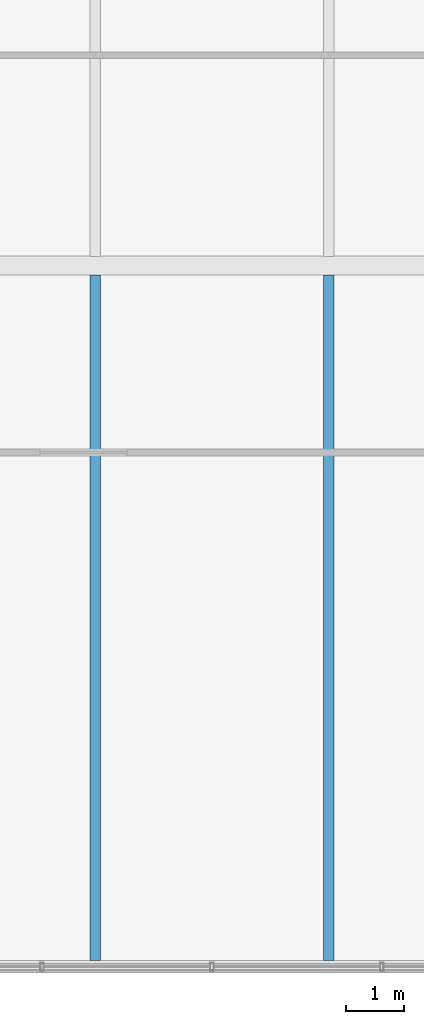
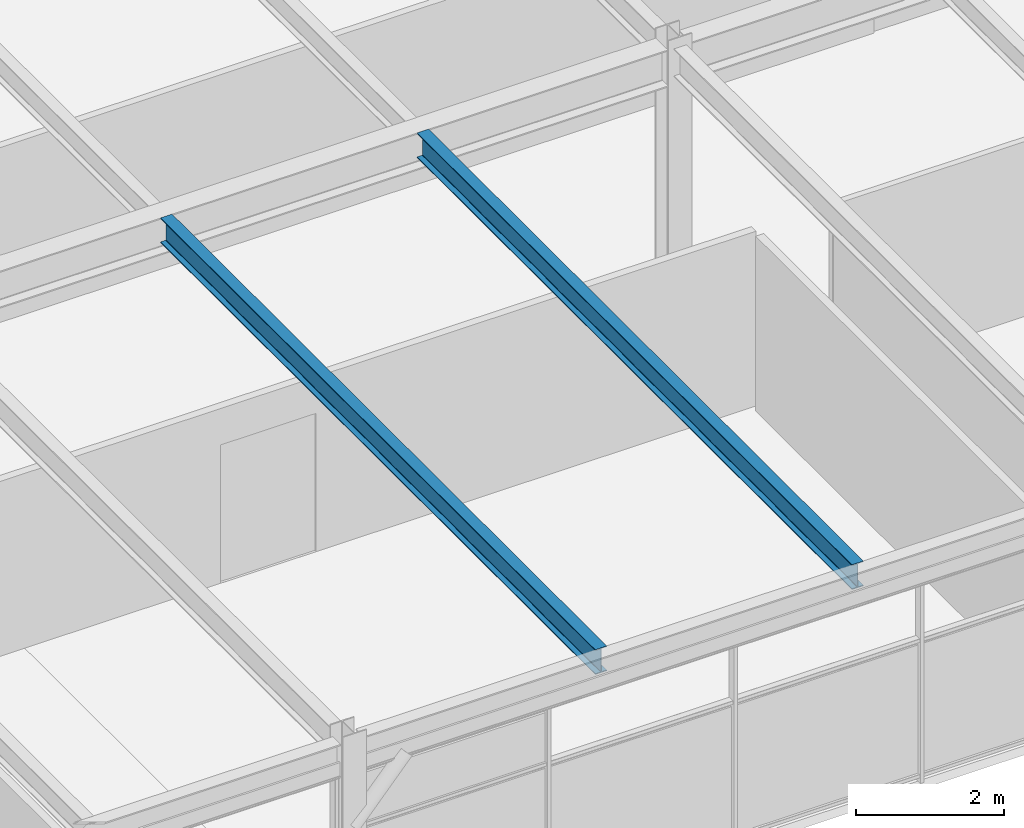
# One storey, part 11 of 32: 2 beams.
"""IFC4 building model written with IfcOpenShell, lengths in metres."""

from ifc_helpers import new_model, si_unit, direction, frame, origin, origin_2d, place, context, subcontext, project, spatial, i_section, extrude, material, material_profile, profile_set, type_object, element, save


model = new_model("IFC4")

# Units and contexts
model_context = context("Model", 3, precision=1e-05, world=origin(), true_north=direction((0.0, 1.0)))
body_context = subcontext(model_context, "Body", "Model", "MODEL_VIEW")
ifc_project = project(units=[si_unit("LENGTHUNIT", "METRE"), si_unit("AREAUNIT", "SQUARE_METRE"), si_unit("VOLUMEUNIT", "CUBIC_METRE"), si_unit("PLANEANGLEUNIT", "RADIAN"), si_unit("MASSUNIT", "GRAM", prefix="KILO")], contexts=[model_context])

# Site, building, storey
site_placement = place(None, origin())
site = spatial("IfcSite", under=ifc_project, at=site_placement, CompositionType="ELEMENT")
building_placement = place(site_placement, origin())
building = spatial("IfcBuilding", under=site, at=building_placement, Name="Girod Span Mobility Hub", CompositionType="ELEMENT")
storey_placement = place(building_placement, frame((0.0, 0.0, 61.60009765625)))
storey = spatial("IfcBuildingStorey", under=building, at=storey_placement, Name="L15", CompositionType="ELEMENT", Elevation=61.60009765625)

# Beams
ifc_material = material(Name="Steel A992 Grade 50", Category="steel")
ifc_material_profile = material_profile(ifc_material, i_section(OverallWidth=0.178955078125, OverallDepth=0.409912109375, WebThickness=0.0087890625, FlangeThickness=0.014404296875, FilletRadius=0.012939453125, at=origin_2d()), Name="W16X45")
ifc_profile_set = profile_set([ifc_material_profile], Name="Steel A992 Grade 50")
beam_type = type_object("IfcBeamType", Name="BM-STL-W16X45", PredefinedType="BEAM", material=ifc_profile_set)
for number, where, z_axis, x_axis, name in (
    (1, (76.0, 45.10302734375, 3.635009765625), (0.0, 1.0, 0.0), (-1.0, 0.0, 0.0), "Composite Floorbeam 7/D-1 L15"),
    (2, (80.0, 45.10302734375, 3.635009765625), (0.0, 1.0, 0.0), (-1.0, 0.0, 0.0), "Composite Floorbeam 7/D-2 L15"),
):
    element("IfcBeam", number, at=place(storey_placement, frame(where, z_axis=z_axis, x_axis=x_axis)), inside=storey, type_object=beam_type, Name=name, PredefinedType="BEAM", context=body_context, shape_type="SweptSolid", body=[
        extrude(i_section(OverallWidth=0.178955078125, OverallDepth=0.409912109375, WebThickness=0.0087890625, FlangeThickness=0.014404296875, FilletRadius=0.012939453125, at=origin_2d()), origin(), (0.0, 0.0, 1.0), 11.738037109375),
    ])

save(model, "model.ifc")
